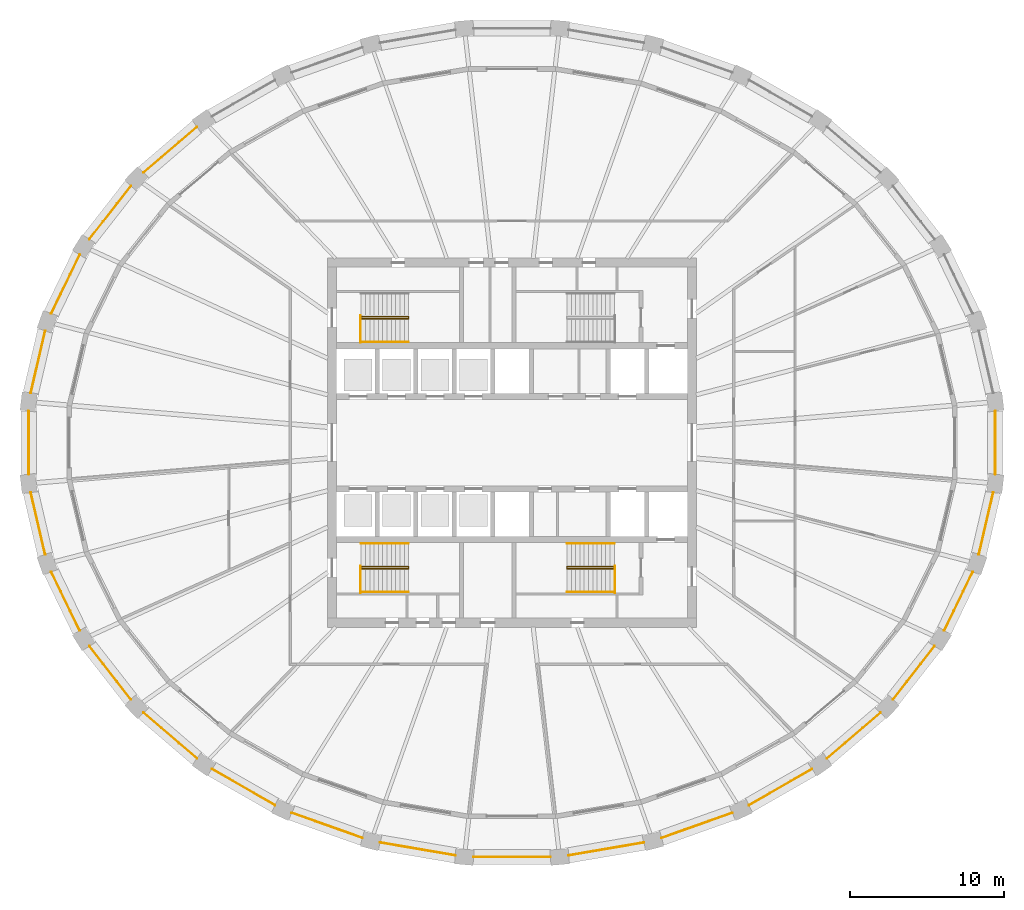
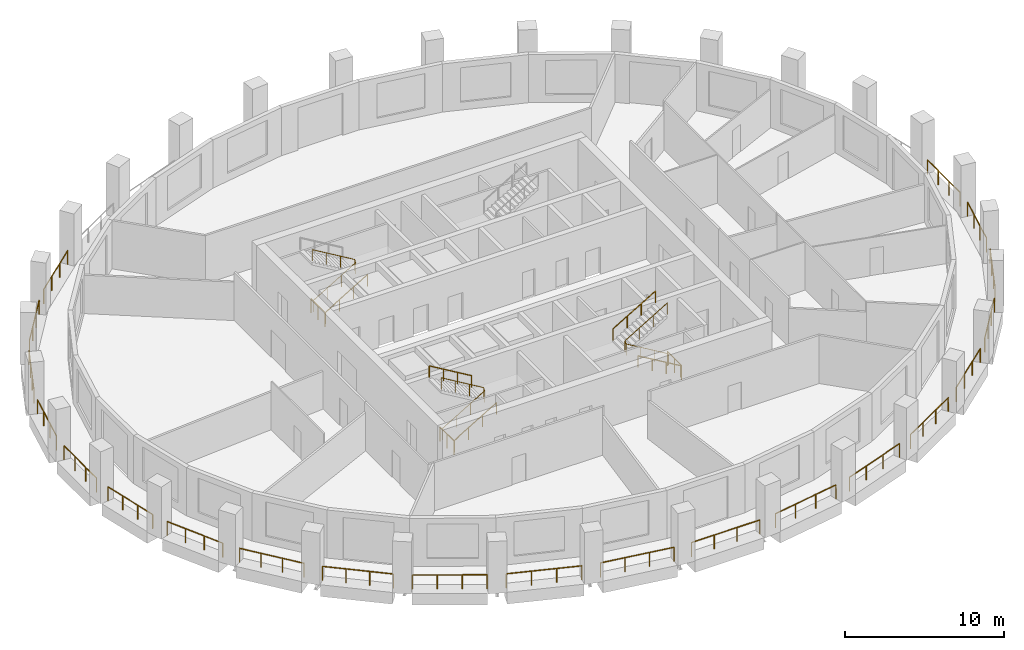
# One storey, part 9 of 11: 32 railings.
"""IFC4 building model written with IfcOpenShell, lengths in metres."""

from ifc_helpers import new_model, si_unit, direction, frame, origin, origin_2d, place, context, subcontext, project, spatial, circle, extrude, material, type_object, element, save


model = new_model("IFC4")

# Units and contexts
model_context = context("Model", 3, precision=1e-05, world=origin(), true_north=direction((0.0, 1.0)))
body_context = subcontext(model_context, "Body", "Model", "MODEL_VIEW")
ifc_project = project(units=[si_unit("LENGTHUNIT", "METRE"), si_unit("AREAUNIT", "SQUARE_METRE"), si_unit("VOLUMEUNIT", "CUBIC_METRE"), si_unit("PLANEANGLEUNIT", "RADIAN"), si_unit("MASSUNIT", "GRAM", prefix="KILO")], contexts=[model_context])

# Site, building, storey
site_placement = place(None, origin())
site = spatial("IfcSite", under=ifc_project, at=site_placement, CompositionType="ELEMENT")
building_placement = place(site_placement, origin())
building = spatial("IfcBuilding", under=site, at=building_placement, Name="Halqa Exchange Tower", CompositionType="ELEMENT")
storey_placement = place(building_placement, frame((0.0, 0.0, 230.89990234375)))
storey = spatial("IfcBuildingStorey", under=building, at=storey_placement, Name="L53", CompositionType="ELEMENT", Elevation=230.89990234375)

# Railings
ifc_material = material(Name="Stainless steel", Category="steel")
railing_type_1 = type_object("IfcRailingType", Name="Guard 1100 stainless steel", PredefinedType="GUARDRAIL", material=ifc_material)
railing_1_placement = place(storey_placement, frame((-20.472412109375, 20.515625, 0.0)))
element("IfcRailing", 1, at=railing_1_placement, inside=storey, type_object=railing_type_1, Name="Loggia guard 12", PredefinedType="GUARDRAIL", context=body_context, shape_type="SweptSolid", body=[
    extrude(circle(Radius=0.02392578125, at=origin_2d()), frame((0.0, 0.0, 1.076171875), z_axis=(-0.759230149262, -0.65082223414, 0.0), x_axis=(0.65082223414, -0.759230149262, 0.0)), (0.0, 0.0, 1.0), 4.560302734375),
    extrude(circle(Radius=0.02099609375, at=origin_2d()), origin(), (0.0, 0.0, 1.0), 1.052001953125),
    extrude(circle(Radius=0.02099609375, at=origin_2d()), frame((-1.154052734375, -0.9892578125, 0.0)), (0.0, 0.0, 1.0), 1.052001953125),
    extrude(circle(Radius=0.02099609375, at=origin_2d()), frame((-2.308349609375, -1.978759765625, 0.0)), (0.0, 0.0, 1.0), 1.052001953125),
    extrude(circle(Radius=0.02099609375, at=origin_2d()), frame((-3.46240234375, -2.968017578125, 0.0)), (0.0, 0.0, 1.0), 1.052001953125),
])
railing_2_placement = place(storey_placement, frame((-24.759521484375, 16.68408203125, 0.0)))
element("IfcRailing", 2, at=railing_2_placement, inside=storey, type_object=railing_type_1, Name="Loggia guard 13", PredefinedType="GUARDRAIL", context=body_context, shape_type="SweptSolid", body=[
    extrude(circle(Radius=0.02392578125, at=origin_2d()), frame((0.0, 0.0, 1.076171875), z_axis=(-0.614775863942, -0.788701868334, 0.0), x_axis=(0.788701868334, -0.614775863942, 0.0)), (0.0, 0.0, 1.0), 4.389404296875),
    extrude(circle(Radius=0.02099609375, at=origin_2d()), origin(), (0.0, 0.0, 1.0), 1.052001953125),
    extrude(circle(Radius=0.02099609375, at=origin_2d()), frame((-0.8994140625, -1.154052734375, 0.0)), (0.0, 0.0, 1.0), 1.052001953125),
    extrude(circle(Radius=0.02099609375, at=origin_2d()), frame((-1.799072265625, -2.307861328125, 0.0)), (0.0, 0.0, 1.0), 1.052001953125),
    extrude(circle(Radius=0.02099609375, at=origin_2d()), frame((-2.698486328125, -3.4619140625, 0.0)), (0.0, 0.0, 1.0), 1.052001953125),
])
railing_3_placement = place(storey_placement, frame((-28.087890625, 12.208740234375, 0.0)))
element("IfcRailing", 3, at=railing_3_placement, inside=storey, type_object=railing_type_1, Name="Loggia guard 14", PredefinedType="GUARDRAIL", context=body_context, shape_type="SweptSolid", body=[
    extrude(circle(Radius=0.02392578125, at=origin_2d()), frame((0.0, 0.0, 1.076171875), z_axis=(-0.435127430079, -0.900368879734, 0.0), x_axis=(0.900368879734, -0.435127430079, 0.0)), (0.0, 0.0, 1.0), 4.239990234375),
    extrude(circle(Radius=0.02099609375, at=origin_2d()), origin(), (0.0, 0.0, 1.0), 1.052001953125),
    extrude(circle(Radius=0.02099609375, at=origin_2d()), frame((-0.614990234375, -1.2724609375, 0.0)), (0.0, 0.0, 1.0), 1.052001953125),
    extrude(circle(Radius=0.02099609375, at=origin_2d()), frame((-1.22998046875, -2.545166015625, 0.0)), (0.0, 0.0, 1.0), 1.052001953125),
    extrude(circle(Radius=0.02099609375, at=origin_2d()), frame((-1.844970703125, -3.817626953125, 0.0)), (0.0, 0.0, 1.0), 1.052001953125),
])
railing_4_placement = place(storey_placement, frame((-30.32958984375, 7.266357421875, 0.0)))
element("IfcRailing", 4, at=railing_4_placement, inside=storey, type_object=railing_type_1, Name="Loggia guard 15", PredefinedType="GUARDRAIL", context=body_context, shape_type="SweptSolid", body=[
    extrude(circle(Radius=0.02392578125, at=origin_2d()), frame((0.0, 0.0, 1.076171875), z_axis=(-0.226078724413, -0.974109034127, 0.0), x_axis=(0.974109034127, -0.226078724413, 0.0)), (0.0, 0.0, 1.0), 4.13818359375),
    extrude(circle(Radius=0.02099609375, at=origin_2d()), origin(), (0.0, 0.0, 1.0), 1.052001953125),
    extrude(circle(Radius=0.02099609375, at=origin_2d()), frame((-0.311767578125, -1.34375, 0.0)), (0.0, 0.0, 1.0), 1.052001953125),
    extrude(circle(Radius=0.02099609375, at=origin_2d()), frame((-0.623779296875, -2.687255859375, 0.0)), (0.0, 0.0, 1.0), 1.052001953125),
    extrude(circle(Radius=0.02099609375, at=origin_2d()), frame((-0.935546875, -4.031005859375, 0.0)), (0.0, 0.0, 1.0), 1.052001953125),
])
railing_5_placement = place(storey_placement, frame((-31.400634765625, 2.05078125, 0.0)))
element("IfcRailing", 5, at=railing_5_placement, inside=storey, type_object=railing_type_1, Name="Loggia guard 16", PredefinedType="GUARDRAIL", context=body_context, shape_type="SweptSolid", body=[
    extrude(circle(Radius=0.02392578125, at=origin_2d()), frame((0.0, 0.0, 1.076171875), z_axis=(0.0, -1.0, 0.0), x_axis=(1.0, 0.0, 0.0)), (0.0, 0.0, 1.0), 4.1015625),
    extrude(circle(Radius=0.02099609375, at=origin_2d()), origin(), (0.0, 0.0, 1.0), 1.052001953125),
    extrude(circle(Radius=0.02099609375, at=origin_2d()), frame((0.0, -1.3671875, 0.0)), (0.0, 0.0, 1.0), 1.052001953125),
    extrude(circle(Radius=0.02099609375, at=origin_2d()), frame((0.0, -2.734375, 0.0)), (0.0, 0.0, 1.0), 1.052001953125),
    extrude(circle(Radius=0.02099609375, at=origin_2d()), frame((0.0, -4.1015625, 0.0)), (0.0, 0.0, 1.0), 1.052001953125),
])
railing_6_placement = place(storey_placement, frame((-31.26513671875, -3.2353515625, 0.0)))
element("IfcRailing", 6, at=railing_6_placement, inside=storey, type_object=railing_type_1, Name="Loggia guard 17", PredefinedType="GUARDRAIL", context=body_context, shape_type="SweptSolid", body=[
    extrude(circle(Radius=0.02392578125, at=origin_2d()), frame((0.0, 0.0, 1.076171875), z_axis=(0.226078724413, -0.974109034127, 0.0), x_axis=(0.974109034127, 0.226078724413, 0.0)), (0.0, 0.0, 1.0), 4.13818359375),
    extrude(circle(Radius=0.02099609375, at=origin_2d()), origin(), (0.0, 0.0, 1.0), 1.052001953125),
    extrude(circle(Radius=0.02099609375, at=origin_2d()), frame((0.311767578125, -1.34375, 0.0)), (0.0, 0.0, 1.0), 1.052001953125),
    extrude(circle(Radius=0.02099609375, at=origin_2d()), frame((0.623779296875, -2.687255859375, 0.0)), (0.0, 0.0, 1.0), 1.052001953125),
    extrude(circle(Radius=0.02099609375, at=origin_2d()), frame((0.935546875, -4.031005859375, 0.0)), (0.0, 0.0, 1.0), 1.052001953125),
])
railing_7_placement = place(storey_placement, frame((-29.932861328125, -8.39111328125, 0.0)))
element("IfcRailing", 7, at=railing_7_placement, inside=storey, type_object=railing_type_1, Name="Loggia guard 18", PredefinedType="GUARDRAIL", context=body_context, shape_type="SweptSolid", body=[
    extrude(circle(Radius=0.02392578125, at=origin_2d()), frame((0.0, 0.0, 1.076171875), z_axis=(0.435127430079, -0.900368879734, 0.0), x_axis=(0.900368879734, 0.435127430079, 0.0)), (0.0, 0.0, 1.0), 4.239990234375),
    extrude(circle(Radius=0.02099609375, at=origin_2d()), origin(), (0.0, 0.0, 1.0), 1.052001953125),
    extrude(circle(Radius=0.02099609375, at=origin_2d()), frame((0.614990234375, -1.2724609375, 0.0)), (0.0, 0.0, 1.0), 1.052001953125),
    extrude(circle(Radius=0.02099609375, at=origin_2d()), frame((1.22998046875, -2.545166015625, 0.0)), (0.0, 0.0, 1.0), 1.052001953125),
    extrude(circle(Radius=0.02099609375, at=origin_2d()), frame((1.844970703125, -3.817626953125, 0.0)), (0.0, 0.0, 1.0), 1.052001953125),
])
railing_8_placement = place(storey_placement, frame((-27.4580078125, -13.22216796875, 0.0)))
element("IfcRailing", 8, at=railing_8_placement, inside=storey, type_object=railing_type_1, Name="Loggia guard 19", PredefinedType="GUARDRAIL", context=body_context, shape_type="SweptSolid", body=[
    extrude(circle(Radius=0.02392578125, at=origin_2d()), frame((0.0, 0.0, 1.076171875), z_axis=(0.614775863942, -0.788701868334, 0.0), x_axis=(0.788701868334, 0.614775863942, 0.0)), (0.0, 0.0, 1.0), 4.389404296875),
    extrude(circle(Radius=0.02099609375, at=origin_2d()), origin(), (0.0, 0.0, 1.0), 1.052001953125),
    extrude(circle(Radius=0.02099609375, at=origin_2d()), frame((0.8994140625, -1.154052734375, 0.0)), (0.0, 0.0, 1.0), 1.052001953125),
    extrude(circle(Radius=0.02099609375, at=origin_2d()), frame((1.799072265625, -2.307861328125, 0.0)), (0.0, 0.0, 1.0), 1.052001953125),
    extrude(circle(Radius=0.02099609375, at=origin_2d()), frame((2.698486328125, -3.4619140625, 0.0)), (0.0, 0.0, 1.0), 1.052001953125),
])
railing_9_placement = place(storey_placement, frame((-23.934814453125, -17.547607421875, 0.0)))
element("IfcRailing", 9, at=railing_9_placement, inside=storey, type_object=railing_type_1, Name="Loggia guard 20", PredefinedType="GUARDRAIL", context=body_context, shape_type="SweptSolid", body=[
    extrude(circle(Radius=0.02392578125, at=origin_2d()), frame((0.0, 0.0, 1.076171875), z_axis=(0.759230149262, -0.65082223414, 0.0), x_axis=(0.65082223414, 0.759230149262, 0.0)), (0.0, 0.0, 1.0), 4.560302734375),
    extrude(circle(Radius=0.02099609375, at=origin_2d()), origin(), (0.0, 0.0, 1.0), 1.052001953125),
    extrude(circle(Radius=0.02099609375, at=origin_2d()), frame((1.154052734375, -0.9892578125, 0.0)), (0.0, 0.0, 1.0), 1.052001953125),
    extrude(circle(Radius=0.02099609375, at=origin_2d()), frame((2.308349609375, -1.978759765625, 0.0)), (0.0, 0.0, 1.0), 1.052001953125),
    extrude(circle(Radius=0.02099609375, at=origin_2d()), frame((3.46240234375, -2.968017578125, 0.0)), (0.0, 0.0, 1.0), 1.052001953125),
])
railing_10_placement = place(storey_placement, frame((-19.49609375, -21.204345703125, 0.0)))
element("IfcRailing", 10, at=railing_10_placement, inside=storey, type_object=railing_type_1, Name="Loggia guard 21", PredefinedType="GUARDRAIL", context=body_context, shape_type="SweptSolid", body=[
    extrude(circle(Radius=0.02392578125, at=origin_2d()), frame((0.0, 0.0, 1.076171875), z_axis=(0.867753217725, -0.496995325057, 0.0), x_axis=(0.496995325057, 0.867753217725, 0.0)), (0.0, 0.0, 1.0), 4.7265625),
    extrude(circle(Radius=0.02099609375, at=origin_2d()), origin(), (0.0, 0.0, 1.0), 1.052001953125),
    extrude(circle(Radius=0.02099609375, at=origin_2d()), frame((1.3671875, -0.782958984375, 0.0)), (0.0, 0.0, 1.0), 1.052001953125),
    extrude(circle(Radius=0.02099609375, at=origin_2d()), frame((2.734375, -1.566162109375, 0.0)), (0.0, 0.0, 1.0), 1.052001953125),
    extrude(circle(Radius=0.02099609375, at=origin_2d()), frame((4.1015625, -2.34912109375, 0.0)), (0.0, 0.0, 1.0), 1.052001953125),
])
railing_11_placement = place(storey_placement, frame((-14.308349609375, -24.05224609375, 0.0)))
element("IfcRailing", 11, at=railing_11_placement, inside=storey, type_object=railing_type_1, Name="Loggia guard 22", PredefinedType="GUARDRAIL", context=body_context, shape_type="SweptSolid", body=[
    extrude(circle(Radius=0.02392578125, at=origin_2d()), frame((0.0, 0.0, 1.076171875), z_axis=(0.94236598603, -0.334583843562, 0.0), x_axis=(0.334583843562, 0.94236598603, 0.0)), (0.0, 0.0, 1.0), 4.864013671875),
    extrude(circle(Radius=0.02099609375, at=origin_2d()), origin(), (0.0, 0.0, 1.0), 1.052001953125),
    extrude(circle(Radius=0.02099609375, at=origin_2d()), frame((1.52783203125, -0.54248046875, 0.0)), (0.0, 0.0, 1.0), 1.052001953125),
    extrude(circle(Radius=0.02099609375, at=origin_2d()), frame((3.055908203125, -1.0849609375, 0.0)), (0.0, 0.0, 1.0), 1.052001953125),
    extrude(circle(Radius=0.02099609375, at=origin_2d()), frame((4.583740234375, -1.62744140625, 0.0)), (0.0, 0.0, 1.0), 1.052001953125),
])
railing_12_placement = place(storey_placement, frame((-8.567626953125, -25.9814453125, 0.0)))
element("IfcRailing", 12, at=railing_12_placement, inside=storey, type_object=railing_type_1, Name="Loggia guard 23", PredefinedType="GUARDRAIL", context=body_context, shape_type="SweptSolid", body=[
    extrude(circle(Radius=0.02392578125, at=origin_2d()), frame((0.0, 0.0, 1.076171875), z_axis=(0.985778469169, -0.16805002149, 0.0), x_axis=(0.16805002149, 0.985778469169, 0.0)), (0.0, 0.0, 1.0), 4.9541015625),
    extrude(circle(Radius=0.02099609375, at=origin_2d()), origin(), (0.0, 0.0, 1.0), 1.052001953125),
    extrude(circle(Radius=0.02099609375, at=origin_2d()), frame((1.6279296875, -0.277587890625, 0.0)), (0.0, 0.0, 1.0), 1.052001953125),
    extrude(circle(Radius=0.02099609375, at=origin_2d()), frame((3.255615234375, -0.554931640625, 0.0)), (0.0, 0.0, 1.0), 1.052001953125),
    extrude(circle(Radius=0.02099609375, at=origin_2d()), frame((4.883544921875, -0.83251953125, 0.0)), (0.0, 0.0, 1.0), 1.052001953125),
])
railing_13_placement = place(storey_placement, frame((-2.49267578125, -26.914794921875, 0.0)))
element("IfcRailing", 13, at=railing_13_placement, inside=storey, type_object=railing_type_1, Name="Loggia guard 24", PredefinedType="GUARDRAIL", context=body_context, shape_type="SweptSolid", body=[
    extrude(circle(Radius=0.02392578125, at=origin_2d()), frame((0.0, 0.0, 1.076171875), z_axis=(1.0, 0.0, 0.0), x_axis=(0.0, 1.0, 0.0)), (0.0, 0.0, 1.0), 4.9853515625),
    extrude(circle(Radius=0.02099609375, at=origin_2d()), origin(), (0.0, 0.0, 1.0), 1.052001953125),
    extrude(circle(Radius=0.02099609375, at=origin_2d()), frame((1.661865234375, 0.0, 0.0)), (0.0, 0.0, 1.0), 1.052001953125),
    extrude(circle(Radius=0.02099609375, at=origin_2d()), frame((3.323486328125, 0.0, 0.0)), (0.0, 0.0, 1.0), 1.052001953125),
    extrude(circle(Radius=0.02099609375, at=origin_2d()), frame((4.9853515625, 0.0, 0.0)), (0.0, 0.0, 1.0), 1.052001953125),
])
railing_14_placement = place(storey_placement, frame((3.68408203125, -26.81396484375, 0.0)))
element("IfcRailing", 14, at=railing_14_placement, inside=storey, type_object=railing_type_1, Name="Loggia guard 25", PredefinedType="GUARDRAIL", context=body_context, shape_type="SweptSolid", body=[
    extrude(circle(Radius=0.02392578125, at=origin_2d()), frame((0.0, 0.0, 1.076171875), z_axis=(0.985778469169, 0.16805002149, 0.0), x_axis=(-0.16805002149, 0.985778469169, 0.0)), (0.0, 0.0, 1.0), 4.9541015625),
    extrude(circle(Radius=0.02099609375, at=origin_2d()), origin(), (0.0, 0.0, 1.0), 1.052001953125),
    extrude(circle(Radius=0.02099609375, at=origin_2d()), frame((1.6279296875, 0.277587890625, 0.0)), (0.0, 0.0, 1.0), 1.052001953125),
    extrude(circle(Radius=0.02099609375, at=origin_2d()), frame((3.255615234375, 0.554931640625, 0.0)), (0.0, 0.0, 1.0), 1.052001953125),
    extrude(circle(Radius=0.02099609375, at=origin_2d()), frame((4.883544921875, 0.83251953125, 0.0)), (0.0, 0.0, 1.0), 1.052001953125),
])
railing_15_placement = place(storey_placement, frame((9.724609375, -25.6796875, 0.0)))
element("IfcRailing", 15, at=railing_15_placement, inside=storey, type_object=railing_type_1, Name="Loggia guard 26", PredefinedType="GUARDRAIL", context=body_context, shape_type="SweptSolid", body=[
    extrude(circle(Radius=0.02392578125, at=origin_2d()), frame((0.0, 0.0, 1.076171875), z_axis=(0.94236598603, 0.334583843562, 0.0), x_axis=(-0.334583843562, 0.94236598603, 0.0)), (0.0, 0.0, 1.0), 4.864013671875),
    extrude(circle(Radius=0.02099609375, at=origin_2d()), origin(), (0.0, 0.0, 1.0), 1.052001953125),
    extrude(circle(Radius=0.02099609375, at=origin_2d()), frame((1.52783203125, 0.54248046875, 0.0)), (0.0, 0.0, 1.0), 1.052001953125),
    extrude(circle(Radius=0.02099609375, at=origin_2d()), frame((3.055908203125, 1.0849609375, 0.0)), (0.0, 0.0, 1.0), 1.052001953125),
    extrude(circle(Radius=0.02099609375, at=origin_2d()), frame((4.583740234375, 1.62744140625, 0.0)), (0.0, 0.0, 1.0), 1.052001953125),
])
railing_16_placement = place(storey_placement, frame((15.39453125, -23.553466796875, 0.0)))
element("IfcRailing", 16, at=railing_16_placement, inside=storey, type_object=railing_type_1, Name="Loggia guard 27", PredefinedType="GUARDRAIL", context=body_context, shape_type="SweptSolid", body=[
    extrude(circle(Radius=0.02392578125, at=origin_2d()), frame((0.0, 0.0, 1.076171875), z_axis=(0.867753217725, 0.496995325057, 0.0), x_axis=(-0.496995325057, 0.867753217725, 0.0)), (0.0, 0.0, 1.0), 4.7265625),
    extrude(circle(Radius=0.02099609375, at=origin_2d()), origin(), (0.0, 0.0, 1.0), 1.052001953125),
    extrude(circle(Radius=0.02099609375, at=origin_2d()), frame((1.3671875, 0.782958984375, 0.0)), (0.0, 0.0, 1.0), 1.052001953125),
    extrude(circle(Radius=0.02099609375, at=origin_2d()), frame((2.734375, 1.566162109375, 0.0)), (0.0, 0.0, 1.0), 1.052001953125),
    extrude(circle(Radius=0.02099609375, at=origin_2d()), frame((4.1015625, 2.34912109375, 0.0)), (0.0, 0.0, 1.0), 1.052001953125),
])
railing_17_placement = place(storey_placement, frame((20.472412109375, -20.515625, 0.0)))
element("IfcRailing", 17, at=railing_17_placement, inside=storey, type_object=railing_type_1, Name="Loggia guard 28", PredefinedType="GUARDRAIL", context=body_context, shape_type="SweptSolid", body=[
    extrude(circle(Radius=0.02392578125, at=origin_2d()), frame((0.0, 0.0, 1.076171875), z_axis=(0.759230149262, 0.65082223414, 0.0), x_axis=(-0.65082223414, 0.759230149262, 0.0)), (0.0, 0.0, 1.0), 4.560302734375),
    extrude(circle(Radius=0.02099609375, at=origin_2d()), origin(), (0.0, 0.0, 1.0), 1.052001953125),
    extrude(circle(Radius=0.02099609375, at=origin_2d()), frame((1.154052734375, 0.9892578125, 0.0)), (0.0, 0.0, 1.0), 1.052001953125),
    extrude(circle(Radius=0.02099609375, at=origin_2d()), frame((2.308349609375, 1.978759765625, 0.0)), (0.0, 0.0, 1.0), 1.052001953125),
    extrude(circle(Radius=0.02099609375, at=origin_2d()), frame((3.46240234375, 2.968017578125, 0.0)), (0.0, 0.0, 1.0), 1.052001953125),
])
railing_18_placement = place(storey_placement, frame((24.759521484375, -16.68408203125, 0.0)))
element("IfcRailing", 18, at=railing_18_placement, inside=storey, type_object=railing_type_1, Name="Loggia guard 29", PredefinedType="GUARDRAIL", context=body_context, shape_type="SweptSolid", body=[
    extrude(circle(Radius=0.02392578125, at=origin_2d()), frame((0.0, 0.0, 1.076171875), z_axis=(0.614775863942, 0.788701868334, 0.0), x_axis=(-0.788701868334, 0.614775863942, 0.0)), (0.0, 0.0, 1.0), 4.389404296875),
    extrude(circle(Radius=0.02099609375, at=origin_2d()), origin(), (0.0, 0.0, 1.0), 1.052001953125),
    extrude(circle(Radius=0.02099609375, at=origin_2d()), frame((0.8994140625, 1.154052734375, 0.0)), (0.0, 0.0, 1.0), 1.052001953125),
    extrude(circle(Radius=0.02099609375, at=origin_2d()), frame((1.799072265625, 2.307861328125, 0.0)), (0.0, 0.0, 1.0), 1.052001953125),
    extrude(circle(Radius=0.02099609375, at=origin_2d()), frame((2.698486328125, 3.4619140625, 0.0)), (0.0, 0.0, 1.0), 1.052001953125),
])
railing_19_placement = place(storey_placement, frame((28.087890625, -12.208740234375, 0.0)))
element("IfcRailing", 19, at=railing_19_placement, inside=storey, type_object=railing_type_1, Name="Loggia guard 30", PredefinedType="GUARDRAIL", context=body_context, shape_type="SweptSolid", body=[
    extrude(circle(Radius=0.02392578125, at=origin_2d()), frame((0.0, 0.0, 1.076171875), z_axis=(0.435127430079, 0.900368879734, 0.0), x_axis=(-0.900368879734, 0.435127430079, 0.0)), (0.0, 0.0, 1.0), 4.239990234375),
    extrude(circle(Radius=0.02099609375, at=origin_2d()), origin(), (0.0, 0.0, 1.0), 1.052001953125),
    extrude(circle(Radius=0.02099609375, at=origin_2d()), frame((0.614990234375, 1.2724609375, 0.0)), (0.0, 0.0, 1.0), 1.052001953125),
    extrude(circle(Radius=0.02099609375, at=origin_2d()), frame((1.22998046875, 2.545166015625, 0.0)), (0.0, 0.0, 1.0), 1.052001953125),
    extrude(circle(Radius=0.02099609375, at=origin_2d()), frame((1.844970703125, 3.817626953125, 0.0)), (0.0, 0.0, 1.0), 1.052001953125),
])
railing_20_placement = place(storey_placement, frame((30.32958984375, -7.266357421875, 0.0)))
element("IfcRailing", 20, at=railing_20_placement, inside=storey, type_object=railing_type_1, Name="Loggia guard 31", PredefinedType="GUARDRAIL", context=body_context, shape_type="SweptSolid", body=[
    extrude(circle(Radius=0.02392578125, at=origin_2d()), frame((0.0, 0.0, 1.076171875), z_axis=(0.226078724413, 0.974109034127, 0.0), x_axis=(-0.974109034127, 0.226078724413, 0.0)), (0.0, 0.0, 1.0), 4.13818359375),
    extrude(circle(Radius=0.02099609375, at=origin_2d()), origin(), (0.0, 0.0, 1.0), 1.052001953125),
    extrude(circle(Radius=0.02099609375, at=origin_2d()), frame((0.311767578125, 1.34375, 0.0)), (0.0, 0.0, 1.0), 1.052001953125),
    extrude(circle(Radius=0.02099609375, at=origin_2d()), frame((0.623779296875, 2.687255859375, 0.0)), (0.0, 0.0, 1.0), 1.052001953125),
    extrude(circle(Radius=0.02099609375, at=origin_2d()), frame((0.935546875, 4.031005859375, 0.0)), (0.0, 0.0, 1.0), 1.052001953125),
])
railing_21_placement = place(storey_placement, frame((31.400634765625, -2.05078125, 0.0)))
element("IfcRailing", 21, at=railing_21_placement, inside=storey, type_object=railing_type_1, Name="Loggia guard 32", PredefinedType="GUARDRAIL", context=body_context, shape_type="SweptSolid", body=[
    extrude(circle(Radius=0.02392578125, at=origin_2d()), frame((0.0, 0.0, 1.076171875), z_axis=(0.0, 1.0, 0.0), x_axis=(-1.0, 0.0, 0.0)), (0.0, 0.0, 1.0), 4.1015625),
    extrude(circle(Radius=0.02099609375, at=origin_2d()), origin(), (0.0, 0.0, 1.0), 1.052001953125),
    extrude(circle(Radius=0.02099609375, at=origin_2d()), frame((0.0, 1.3671875, 0.0)), (0.0, 0.0, 1.0), 1.052001953125),
    extrude(circle(Radius=0.02099609375, at=origin_2d()), frame((0.0, 2.734375, 0.0)), (0.0, 0.0, 1.0), 1.052001953125),
    extrude(circle(Radius=0.02099609375, at=origin_2d()), frame((0.0, 4.1015625, 0.0)), (0.0, 0.0, 1.0), 1.052001953125),
])
railing_type_2 = type_object("IfcRailingType", Name="Stair handrail 900", PredefinedType="HANDRAIL", material=ifc_material)
railing_22_placement = place(storey_placement, frame((-9.800048828125, 8.06005859375, 0.166748046875)))
element("IfcRailing", 22, at=railing_22_placement, inside=storey, type_object=railing_type_2, Name="Handrail ST1.1", PredefinedType="HANDRAIL", context=body_context, shape_type="SweptSolid", body=[
    extrude(circle(Radius=0.02392578125, at=origin_2d()), frame((0.0, 0.0, 0.8759765625), z_axis=(0.859308565015, 0.0, 0.511457515432), x_axis=(0.0, 1.0, 0.0)), (0.0, 0.0, 1.0), 3.58447265625),
    extrude(circle(Radius=0.02392578125, at=origin_2d()), frame((3.080078125, 0.0, 2.708984375), z_axis=(0.0, 0.614500226555, 0.788916644243), x_axis=(-1.0, 0.0, 0.0)), (0.0, 0.0, 1.0), 0.21142578125),
    extrude(circle(Radius=0.02392578125, at=origin_2d()), frame((3.080078125, 0.1298828125, 2.8759765625), z_axis=(-0.859308565015, 0.0, 0.511457515432), x_axis=(0.0, -1.0, 0.0)), (0.0, 0.0, 1.0), 3.58447265625),
    extrude(circle(Radius=0.02099609375, at=origin_2d()), origin(), (0.0, 0.0, 1.0), 0.851806640625),
    extrude(circle(Radius=0.02099609375, at=origin_2d()), frame((1.026611328125, 0.0, 0.611083984375)), (0.0, 0.0, 1.0), 0.851806640625),
    extrude(circle(Radius=0.02099609375, at=origin_2d()), frame((2.053466796875, 0.0, 1.22216796875)), (0.0, 0.0, 1.0), 0.851806640625),
    extrude(circle(Radius=0.02099609375, at=origin_2d()), frame((3.080078125, 0.0, 1.833251953125)), (0.0, 0.0, 1.0), 0.851806640625),
    extrude(circle(Radius=0.02099609375, at=origin_2d()), frame((3.080078125, 0.1298828125, 2.0)), (0.0, 0.0, 1.0), 0.851806640625),
    extrude(circle(Radius=0.02099609375, at=origin_2d()), frame((2.053466796875, 0.1298828125, 2.611083984375)), (0.0, 0.0, 1.0), 0.851806640625),
    extrude(circle(Radius=0.02099609375, at=origin_2d()), frame((1.026611328125, 0.1298828125, 3.22216796875)), (0.0, 0.0, 1.0), 0.851806640625),
    extrude(circle(Radius=0.02099609375, at=origin_2d()), frame((0.0, 0.1298828125, 3.833251953125)), (0.0, 0.0, 1.0), 0.851806640625),
])
railing_23_placement = place(storey_placement, frame((-9.800048828125, 6.550048828125, 0.166748046875)))
element("IfcRailing", 23, at=railing_23_placement, inside=storey, type_object=railing_type_2, Name="Handrail ST1.2", PredefinedType="HANDRAIL", context=body_context, shape_type="SweptSolid", body=[
    extrude(circle(Radius=0.02392578125, at=origin_2d()), frame((0.0, 0.0, 0.8759765625), z_axis=(0.859308565015, 0.0, 0.511457515432), x_axis=(0.0, 1.0, 0.0)), (0.0, 0.0, 1.0), 3.58447265625),
    extrude(circle(Radius=0.02099609375, at=origin_2d()), origin(), (0.0, 0.0, 1.0), 0.851806640625),
    extrude(circle(Radius=0.02099609375, at=origin_2d()), frame((1.026611328125, 0.0, 0.611083984375)), (0.0, 0.0, 1.0), 0.851806640625),
    extrude(circle(Radius=0.02099609375, at=origin_2d()), frame((2.053466796875, 0.0, 1.22216796875)), (0.0, 0.0, 1.0), 0.851806640625),
    extrude(circle(Radius=0.02099609375, at=origin_2d()), frame((3.080078125, 0.0, 1.833251953125)), (0.0, 0.0, 1.0), 0.851806640625),
])
railing_24_placement = place(storey_placement, frame((-9.800048828125, -8.18994140625, 0.166748046875)))
element("IfcRailing", 24, at=railing_24_placement, inside=storey, type_object=railing_type_2, Name="Handrail ST3.1", PredefinedType="HANDRAIL", context=body_context, shape_type="SweptSolid", body=[
    extrude(circle(Radius=0.02392578125, at=origin_2d()), frame((0.0, 0.0, 0.8759765625), z_axis=(0.859308565015, 0.0, 0.511457515432), x_axis=(0.0, 1.0, 0.0)), (0.0, 0.0, 1.0), 3.58447265625),
    extrude(circle(Radius=0.02392578125, at=origin_2d()), frame((3.080078125, 0.0, 2.708984375), z_axis=(0.0, 0.614500226555, 0.788916644243), x_axis=(-1.0, 0.0, 0.0)), (0.0, 0.0, 1.0), 0.21142578125),
    extrude(circle(Radius=0.02392578125, at=origin_2d()), frame((3.080078125, 0.1298828125, 2.8759765625), z_axis=(-0.859308565015, 0.0, 0.511457515432), x_axis=(0.0, -1.0, 0.0)), (0.0, 0.0, 1.0), 3.58447265625),
    extrude(circle(Radius=0.02099609375, at=origin_2d()), origin(), (0.0, 0.0, 1.0), 0.851806640625),
    extrude(circle(Radius=0.02099609375, at=origin_2d()), frame((1.026611328125, 0.0, 0.611083984375)), (0.0, 0.0, 1.0), 0.851806640625),
    extrude(circle(Radius=0.02099609375, at=origin_2d()), frame((2.053466796875, 0.0, 1.22216796875)), (0.0, 0.0, 1.0), 0.851806640625),
    extrude(circle(Radius=0.02099609375, at=origin_2d()), frame((3.080078125, 0.0, 1.833251953125)), (0.0, 0.0, 1.0), 0.851806640625),
    extrude(circle(Radius=0.02099609375, at=origin_2d()), frame((3.080078125, 0.1298828125, 2.0)), (0.0, 0.0, 1.0), 0.851806640625),
    extrude(circle(Radius=0.02099609375, at=origin_2d()), frame((2.053466796875, 0.1298828125, 2.611083984375)), (0.0, 0.0, 1.0), 0.851806640625),
    extrude(circle(Radius=0.02099609375, at=origin_2d()), frame((1.026611328125, 0.1298828125, 3.22216796875)), (0.0, 0.0, 1.0), 0.851806640625),
    extrude(circle(Radius=0.02099609375, at=origin_2d()), frame((0.0, 0.1298828125, 3.833251953125)), (0.0, 0.0, 1.0), 0.851806640625),
])
railing_25_placement = place(storey_placement, frame((-9.800048828125, -9.699951171875, 0.166748046875)))
element("IfcRailing", 25, at=railing_25_placement, inside=storey, type_object=railing_type_2, Name="Handrail ST3.2", PredefinedType="HANDRAIL", context=body_context, shape_type="SweptSolid", body=[
    extrude(circle(Radius=0.02392578125, at=origin_2d()), frame((0.0, 0.0, 0.8759765625), z_axis=(0.859308565015, 0.0, 0.511457515432), x_axis=(0.0, 1.0, 0.0)), (0.0, 0.0, 1.0), 3.58447265625),
    extrude(circle(Radius=0.02099609375, at=origin_2d()), origin(), (0.0, 0.0, 1.0), 0.851806640625),
    extrude(circle(Radius=0.02099609375, at=origin_2d()), frame((1.026611328125, 0.0, 0.611083984375)), (0.0, 0.0, 1.0), 0.851806640625),
    extrude(circle(Radius=0.02099609375, at=origin_2d()), frame((2.053466796875, 0.0, 1.22216796875)), (0.0, 0.0, 1.0), 0.851806640625),
    extrude(circle(Radius=0.02099609375, at=origin_2d()), frame((3.080078125, 0.0, 1.833251953125)), (0.0, 0.0, 1.0), 0.851806640625),
])
railing_26_placement = place(storey_placement, frame((-6.719970703125, -6.550048828125, 2.166748046875)))
element("IfcRailing", 26, at=railing_26_placement, inside=storey, type_object=railing_type_2, Name="Handrail ST3.3", PredefinedType="HANDRAIL", context=body_context, shape_type="SweptSolid", body=[
    extrude(circle(Radius=0.02392578125, at=origin_2d()), frame((0.0, 0.0, 0.8759765625), z_axis=(-0.859308565015, 0.0, 0.511457515432), x_axis=(0.0, -1.0, 0.0)), (0.0, 0.0, 1.0), 3.58447265625),
    extrude(circle(Radius=0.02099609375, at=origin_2d()), origin(), (0.0, 0.0, 1.0), 0.851806640625),
    extrude(circle(Radius=0.02099609375, at=origin_2d()), frame((-1.026611328125, 0.0, 0.611083984375)), (0.0, 0.0, 1.0), 0.851806640625),
    extrude(circle(Radius=0.02099609375, at=origin_2d()), frame((-2.053466796875, 0.0, 1.22216796875)), (0.0, 0.0, 1.0), 0.851806640625),
    extrude(circle(Radius=0.02099609375, at=origin_2d()), frame((-3.080078125, 0.0, 1.833251953125)), (0.0, 0.0, 1.0), 0.851806640625),
])
railing_27_placement = place(storey_placement, frame((6.64990234375, -8.18994140625, 0.166748046875)))
element("IfcRailing", 27, at=railing_27_placement, inside=storey, type_object=railing_type_2, Name="Handrail ST4.1", PredefinedType="HANDRAIL", context=body_context, shape_type="SweptSolid", body=[
    extrude(circle(Radius=0.02392578125, at=origin_2d()), frame((0.0, 0.0, 0.8759765625), z_axis=(-0.859290745958, 0.0, 0.51148745235), x_axis=(0.0, -1.0, 0.0)), (0.0, 0.0, 1.0), 3.584228515625),
    extrude(circle(Radius=0.02392578125, at=origin_2d()), frame((-3.079833984375, 0.0, 2.708984375), z_axis=(0.0, 0.614500226555, 0.788916644243), x_axis=(-1.0, 0.0, 0.0)), (0.0, 0.0, 1.0), 0.21142578125),
    extrude(circle(Radius=0.02392578125, at=origin_2d()), frame((-3.079833984375, 0.1298828125, 2.8759765625), z_axis=(0.859290745958, 0.0, 0.51148745235), x_axis=(0.0, 1.0, 0.0)), (0.0, 0.0, 1.0), 3.584228515625),
    extrude(circle(Radius=0.02099609375, at=origin_2d()), origin(), (0.0, 0.0, 1.0), 0.851806640625),
    extrude(circle(Radius=0.02099609375, at=origin_2d()), frame((-1.026611328125, 0.0, 0.611083984375)), (0.0, 0.0, 1.0), 0.851806640625),
    extrude(circle(Radius=0.02099609375, at=origin_2d()), frame((-2.05322265625, 0.0, 1.22216796875)), (0.0, 0.0, 1.0), 0.851806640625),
    extrude(circle(Radius=0.02099609375, at=origin_2d()), frame((-3.079833984375, 0.0, 1.833251953125)), (0.0, 0.0, 1.0), 0.851806640625),
    extrude(circle(Radius=0.02099609375, at=origin_2d()), frame((-3.079833984375, 0.1298828125, 2.0)), (0.0, 0.0, 1.0), 0.851806640625),
    extrude(circle(Radius=0.02099609375, at=origin_2d()), frame((-2.05322265625, 0.1298828125, 2.611083984375)), (0.0, 0.0, 1.0), 0.851806640625),
    extrude(circle(Radius=0.02099609375, at=origin_2d()), frame((-1.026611328125, 0.1298828125, 3.22216796875)), (0.0, 0.0, 1.0), 0.851806640625),
    extrude(circle(Radius=0.02099609375, at=origin_2d()), frame((0.0, 0.1298828125, 3.833251953125)), (0.0, 0.0, 1.0), 0.851806640625),
])
railing_28_placement = place(storey_placement, frame((6.64990234375, -9.699951171875, 0.166748046875)))
element("IfcRailing", 28, at=railing_28_placement, inside=storey, type_object=railing_type_2, Name="Handrail ST4.2", PredefinedType="HANDRAIL", context=body_context, shape_type="SweptSolid", body=[
    extrude(circle(Radius=0.02392578125, at=origin_2d()), frame((0.0, 0.0, 0.8759765625), z_axis=(-0.859290745958, 0.0, 0.51148745235), x_axis=(0.0, -1.0, 0.0)), (0.0, 0.0, 1.0), 3.584228515625),
    extrude(circle(Radius=0.02099609375, at=origin_2d()), origin(), (0.0, 0.0, 1.0), 0.851806640625),
    extrude(circle(Radius=0.02099609375, at=origin_2d()), frame((-1.026611328125, 0.0, 0.611083984375)), (0.0, 0.0, 1.0), 0.851806640625),
    extrude(circle(Radius=0.02099609375, at=origin_2d()), frame((-2.05322265625, 0.0, 1.22216796875)), (0.0, 0.0, 1.0), 0.851806640625),
    extrude(circle(Radius=0.02099609375, at=origin_2d()), frame((-3.079833984375, 0.0, 1.833251953125)), (0.0, 0.0, 1.0), 0.851806640625),
])
railing_29_placement = place(storey_placement, frame((3.570068359375, -6.550048828125, 2.166748046875)))
element("IfcRailing", 29, at=railing_29_placement, inside=storey, type_object=railing_type_2, Name="Handrail ST4.3", PredefinedType="HANDRAIL", context=body_context, shape_type="SweptSolid", body=[
    extrude(circle(Radius=0.02392578125, at=origin_2d()), frame((0.0, 0.0, 0.8759765625), z_axis=(0.859290745958, 0.0, 0.51148745235), x_axis=(0.0, 1.0, 0.0)), (0.0, 0.0, 1.0), 3.584228515625),
    extrude(circle(Radius=0.02099609375, at=origin_2d()), origin(), (0.0, 0.0, 1.0), 0.851806640625),
    extrude(circle(Radius=0.02099609375, at=origin_2d()), frame((1.026611328125, 0.0, 0.611083984375)), (0.0, 0.0, 1.0), 0.851806640625),
    extrude(circle(Radius=0.02099609375, at=origin_2d()), frame((2.05322265625, 0.0, 1.22216796875)), (0.0, 0.0, 1.0), 0.851806640625),
    extrude(circle(Radius=0.02099609375, at=origin_2d()), frame((3.079833984375, 0.0, 1.833251953125)), (0.0, 0.0, 1.0), 0.851806640625),
])
railing_type_3 = type_object("IfcRailingType", Name="Stair well guard 1100", PredefinedType="GUARDRAIL", material=ifc_material)
for number, where, name in (
    (30, (-9.85009765625, 6.5, 0.0), "Guard ST1 well"),
    (31, (-9.85009765625, -9.75, 0.0), "Guard ST3 well"),
    (32, (6.699951171875, -9.75, 0.0), "Guard ST4 well"),
):
    element("IfcRailing", number, at=place(storey_placement, frame(where)), inside=storey, type_object=railing_type_3, Name=name, PredefinedType="GUARDRAIL", context=body_context, shape_type="SweptSolid", body=[
        extrude(circle(Radius=0.02392578125, at=origin_2d()), frame((0.0, 0.0, 1.076171875), z_axis=(0.0, 1.0, 0.0), x_axis=(-1.0, 0.0, 0.0)), (0.0, 0.0, 1.0), 1.75),
        extrude(circle(Radius=0.02099609375, at=origin_2d()), origin(), (0.0, 0.0, 1.0), 1.052001953125),
        extrude(circle(Radius=0.02099609375, at=origin_2d()), frame((0.0, 0.875, 0.0)), (0.0, 0.0, 1.0), 1.052001953125),
        extrude(circle(Radius=0.02099609375, at=origin_2d()), frame((0.0, 1.75, 0.0)), (0.0, 0.0, 1.0), 1.052001953125),
    ])

save(model, "model.ifc")
